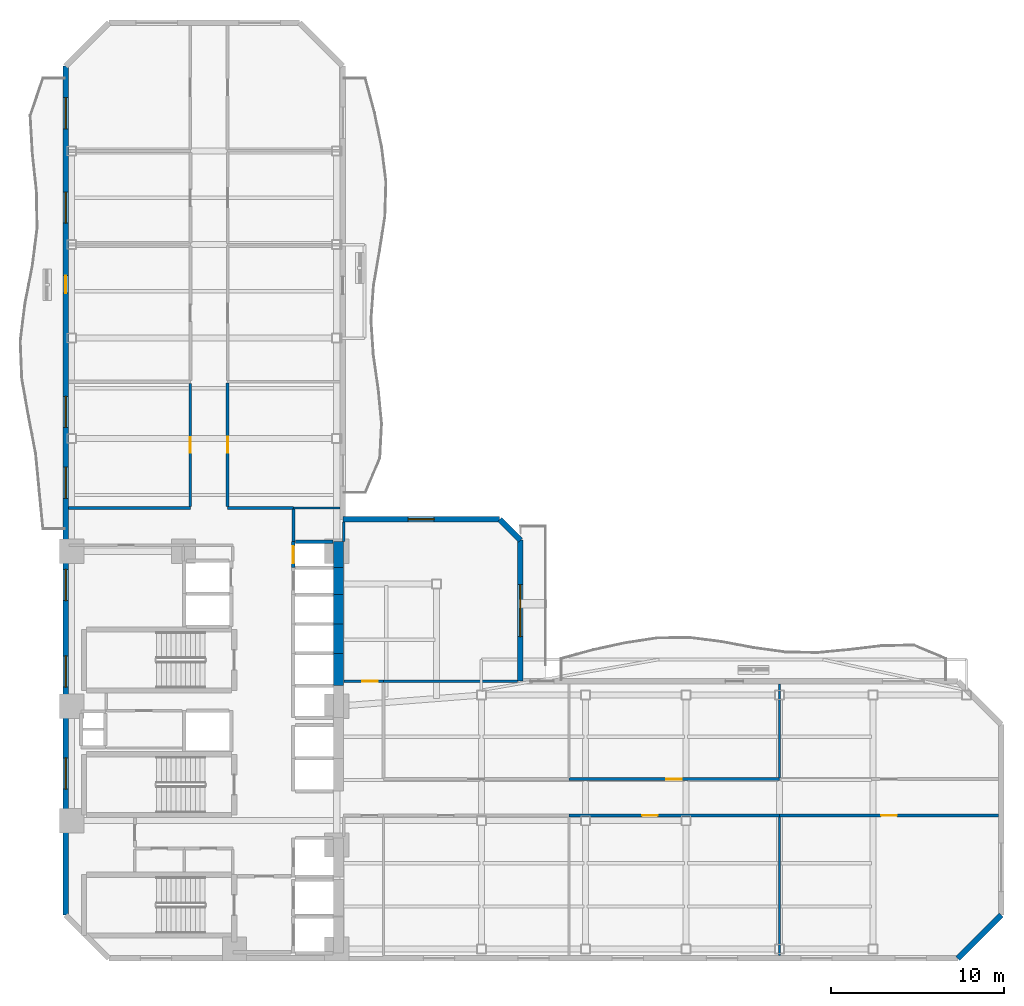
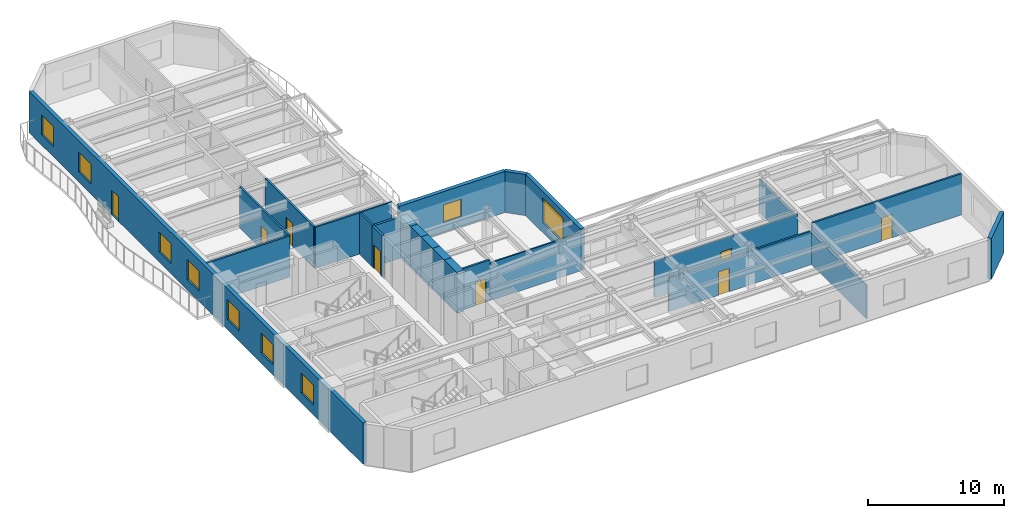
# One storey, part 5 of 11: 26 walls, 9 windows, 8 doors, 17 openings.
"""IFC4 building model written with IfcOpenShell, lengths in metres."""

import ifcopenshell
import ifcopenshell.guid

model = None  # the IFC model being written
_history = None  # IfcOwnerHistory: only IFC2X3 demands one
_inside = {}  # id of a spatial element -> (the spatial element, [elements in it])
_under = {}  # id of a project, library or spatial element -> (it, [spatial elements below it])
_declared = {}  # id of a project -> (the project, [libraries it declares])
_typed = {}  # id of a type object -> (the type object, [elements of that type])
_made_of = {}  # id of a material, layer set ... -> (it, [elements and type objects made of it])


def new_model(schema):
    """Start an empty IFC model of exactly this schema.

    Asked for "IFC4X3", IfcOpenShell would pick the latest addendum, in which some entities
    have other attributes; the version numbers below select the first issue.
    IFC2X3 requires an IfcOwnerHistory on every rooted entity: one is made here for all.
    """
    global model, _history
    if schema == "IFC4X3":
        model = ifcopenshell.file(schema_version=(4, 3, 0, 0))
    else:
        model = ifcopenshell.file(schema=schema)
    _inside.clear()
    _under.clear()
    _declared.clear()
    _typed.clear()
    _made_of.clear()
    _history = None
    if model.schema == "IFC2X3":
        org = make("IfcOrganization", Name="unknown")
        user = make(
            "IfcPersonAndOrganization",
            ThePerson=make("IfcPerson", FamilyName="unknown"),
            TheOrganization=org,
        )
        app = make(
            "IfcApplication",
            ApplicationDeveloper=org,
            Version="unknown",
            ApplicationFullName="unknown",
            ApplicationIdentifier="unknown",
        )
        _history = make(
            "IfcOwnerHistory",
            OwningUser=user,
            OwningApplication=app,
            ChangeAction="ADDED",
            CreationDate=0,
        )
    return model


def make(cls, **values):
    """One entity of the class cls with the attributes given. An attribute that is None is left unset."""
    return model.create_entity(
        cls, **{name: value for name, value in values.items() if value is not None}
    )


def rooted(cls, **values):
    """An entity with a GlobalId (a new one), such as an element, a storey or a relation."""
    return make(cls, GlobalId=ifcopenshell.guid.new(), OwnerHistory=_history, **values)


def si_unit(unit_type, name, prefix=None):
    """IfcSIUnit, for example si_unit("LENGTHUNIT", "METRE", prefix="MILLI")."""
    return make("IfcSIUnit", UnitType=unit_type, Prefix=prefix, Name=name)


def assignment(units):
    """IfcUnitAssignment: the units of a project."""
    return None if units is None else make("IfcUnitAssignment", Units=units)


def point(xyz):
    """IfcCartesianPoint."""
    return None if xyz is None else make("IfcCartesianPoint", Coordinates=xyz)


def direction(xyz):
    """IfcDirection."""
    return None if xyz is None else make("IfcDirection", DirectionRatios=xyz)


def frame(location, z_axis=None, x_axis=None):
    """IfcAxis2Placement3D, a coordinate frame: its origin and axes. An axis left out is left unset."""
    return make(
        "IfcAxis2Placement3D",
        Location=point(location),
        Axis=direction(z_axis),
        RefDirection=direction(x_axis),
    )


def frame_2d(location, x_axis=None):
    """IfcAxis2Placement2D, a coordinate frame in the plane: its origin and x axis."""
    return make(
        "IfcAxis2Placement2D", Location=point(location), RefDirection=direction(x_axis)
    )


def origin():
    """The frame at (0, 0, 0) with its axes left unset."""
    return frame((0.0, 0.0, 0.0))


def place(relative_to, where):
    """IfcLocalPlacement: puts the frame where relative to a parent placement (None: the world)."""
    return make(
        "IfcLocalPlacement", PlacementRelTo=relative_to, RelativePlacement=where
    )


def context(
    kind, dimensions, precision=None, world=None, true_north=None, identifier=None
):
    """IfcGeometricRepresentationContext, for example the 3D "Model" context."""
    return make(
        "IfcGeometricRepresentationContext",
        ContextIdentifier=identifier,
        ContextType=kind,
        CoordinateSpaceDimension=dimensions,
        Precision=precision,
        WorldCoordinateSystem=world,
        TrueNorth=true_north,
    )


def subcontext(parent, identifier, kind, view, scale=None):
    """IfcGeometricRepresentationSubContext, for example "Body" below "Model"."""
    return make(
        "IfcGeometricRepresentationSubContext",
        ContextIdentifier=identifier,
        ContextType=kind,
        ParentContext=parent,
        TargetScale=scale,
        TargetView=view,
    )


def project(units=None, contexts=None):
    """IfcProject with its units and contexts."""
    return rooted(
        "IfcProject",
        Name="project",
        RepresentationContexts=contexts,
        UnitsInContext=assignment(units),
    )


def spatial(cls, under=None, at=None, **own):
    """A site, building, storey or space (cls), placed at a placement, below another one or the project."""
    s = rooted(cls, ObjectPlacement=at, **own)
    if under is not None:
        _under.setdefault(under.id(), (under, []))[1].append(s)
    return s


def profile(cls, at=None, kind="AREA", **sizes):
    """A parametric profile (cls). Its sizes go by their IFC names, for example OverallWidth=200.0."""
    return make(cls, ProfileType=kind, Position=at, **sizes)


def rectangle(**sizes):
    """IfcRectangleProfileDef."""
    return profile("IfcRectangleProfileDef", **sizes)


def extrude(swept, where, along, depth):
    """IfcExtrudedAreaSolid: the profile swept, set in the frame where, extruded along a direction by depth."""
    return make(
        "IfcExtrudedAreaSolid",
        SweptArea=swept,
        Position=where,
        ExtrudedDirection=direction(along),
        Depth=depth,
    )


def shape(context_of_items, identifier, shape_type, items):
    """IfcShapeRepresentation: the items that make up one representation, for example the "Body"."""
    return make(
        "IfcShapeRepresentation",
        ContextOfItems=context_of_items,
        RepresentationIdentifier=identifier,
        RepresentationType=shape_type,
        Items=items,
    )


def material(Name=None, Category=None):
    """IfcMaterial."""
    return make("IfcMaterial", Name=Name, Category=Category)


def layer(
    of_material, thickness, ventilated=None, Name=None, Category=None, Priority=None
):
    """IfcMaterialLayer: one layer of a wall or slab, of a material (None: an air gap)."""
    return make(
        "IfcMaterialLayer",
        Material=of_material,
        LayerThickness=thickness,
        IsVentilated=ventilated,
        Name=Name,
        Category=Category,
        Priority=Priority,
    )


def layer_set(layers, Name=None):
    """IfcMaterialLayerSet."""
    return make("IfcMaterialLayerSet", MaterialLayers=layers, LayerSetName=Name)


def made_of(thing, what):
    """Note that an element or type object is made of a material, layer set ...; save() writes the relation."""
    if what is not None:
        _made_of.setdefault(what.id(), (what, []))[1].append(thing)
    return thing


def type_object(cls, material=None, **own):
    """A type object (cls), such as IfcWallType, which elements share."""
    return made_of(rooted(cls, **own), material)


def element(
    cls,
    number,
    at=None,
    inside=None,
    cuts=None,
    type_object=None,
    material=None,
    context=None,
    identifier="Body",
    shape_type=None,
    held_by="IfcProductDefinitionShape",
    body=None,
    shapes=None,
    **own,
):
    """One element of the class cls, such as IfcWall. Its Tag is "e" and its number.

    at: its placement. inside: the storey or other place that contains it. cuts: it is an
    opening in that element (IfcRelVoidsElement). A single representation is given by context,
    identifier, shape_type and body (its items); several are given by shapes. held_by: the class
    of the entity that holds the representations. save() writes the other relations.
    """
    e = rooted(cls, Tag="e%d" % number, ObjectPlacement=at, **own)
    if body is not None:
        shapes = [shape(context, identifier, shape_type, body)]
    if shapes is not None:
        e.Representation = make(held_by, Representations=shapes)
    if inside is not None:
        _inside.setdefault(inside.id(), (inside, []))[1].append(e)
    if cuts is not None:
        rooted(
            "IfcRelVoidsElement", RelatingBuildingElement=cuts, RelatedOpeningElement=e
        )
    if type_object is not None:
        _typed.setdefault(type_object.id(), (type_object, []))[1].append(e)
    return made_of(e, material)


def fill(opening, filler):
    """IfcRelFillsElement: the door or window that sits in an opening."""
    return rooted(
        "IfcRelFillsElement",
        RelatingOpeningElement=opening,
        RelatedBuildingElement=filler,
    )


def aggregate(whole, parts):
    """IfcRelAggregates: a whole, such as a stair, and the parts it consists of."""
    return rooted("IfcRelAggregates", RelatingObject=whole, RelatedObjects=parts)


def save(model, path):
    """Write the relations noted so far, then the file.

    IfcRelAggregates (storeys below a building ...), IfcRelContainedInSpatialStructure (elements
    in a storey), IfcRelDefinesByType, IfcRelAssociatesMaterial and IfcRelDeclares: one each for
    every whole, place, type object, material and project.
    """
    for whole, parts in _under.values():
        aggregate(whole, parts)
    for where, things in _inside.values():
        rooted(
            "IfcRelContainedInSpatialStructure",
            RelatedElements=things,
            RelatingStructure=where,
        )
    for kind, things in _typed.values():
        rooted("IfcRelDefinesByType", RelatedObjects=things, RelatingType=kind)
    for what, things in _made_of.values():
        rooted("IfcRelAssociatesMaterial", RelatedObjects=things, RelatingMaterial=what)
    for by, libraries in _declared.values():
        rooted("IfcRelDeclares", RelatingContext=by, RelatedDefinitions=libraries)
    model.write(path)


model = new_model("IFC4")

# Units and contexts
model_context = context("Model", 3, precision=1e-05, world=origin(), true_north=direction((0.0, 1.0)))
body_context = subcontext(model_context, "Body", "Model", "MODEL_VIEW")
ifc_project = project(units=[si_unit("LENGTHUNIT", "METRE"), si_unit("AREAUNIT", "SQUARE_METRE"), si_unit("VOLUMEUNIT", "CUBIC_METRE"), si_unit("PLANEANGLEUNIT", "RADIAN"), si_unit("MASSUNIT", "GRAM", prefix="KILO")], contexts=[model_context])

# Site, building, storey
site_placement = place(None, origin())
site = spatial("IfcSite", under=ifc_project, at=site_placement, CompositionType="ELEMENT")
building_placement = place(site_placement, origin())
building = spatial("IfcBuilding", under=site, at=building_placement, Name="Mawjaban Terraces University", CompositionType="ELEMENT")
storey_placement = place(building_placement, frame((0.0, 0.0, 77.800048828125)))
storey = spatial("IfcBuildingStorey", under=building, at=storey_placement, Name="L18", CompositionType="ELEMENT", Elevation=77.800048828125)

# Walls
ifc_material_1 = material(Name="Concrete C70/85", Category="concrete")
ifc_layer_1 = layer(ifc_material_1, 0.60009765625)
ifc_layer_set_1 = layer_set([ifc_layer_1], Name="Concrete C70/85")
wall_type_1 = type_object("IfcWallType", Name="CoreShearWall_600", PredefinedType="SHEAR", material=ifc_layer_set_1)
wall_1_placement = place(storey_placement, frame((37.75, 15.75, 0.0), z_axis=(0.0, 0.0, 1.0), x_axis=(0.0, 1.0, 0.0)))
element("IfcWall", 1, at=wall_1_placement, inside=storey, type_object=wall_type_1, Name="L18 Lift OL-2 Hoistway Wall East", PredefinedType="SHEAR", context=body_context, shape_type="SweptSolid", body=[
    extrude(rectangle(XDim=1.85009765625, YDim=0.60009765625, at=frame_2d((0.925048828125, 0.0))), origin(), (0.0, 0.0, 1.0), 3.68994140625),
])
for number, where, z_axis, x_axis, name in (
    (2, (37.75, 17.60009765625, 0.0), (0.0, 0.0, 1.0), (0.0, 1.0, 0.0), "L18 Lift PL-M1 Hoistway Wall East"),
    (3, (37.75, 19.300048828125, 0.0), (0.0, 0.0, 1.0), (0.0, 1.0, 0.0), "L18 Lift PL-M2 Hoistway Wall East"),
):
    element("IfcWall", number, at=place(storey_placement, frame(where, z_axis=z_axis, x_axis=x_axis)), inside=storey, type_object=wall_type_1, Name=name, PredefinedType="SHEAR", context=body_context, shape_type="SweptSolid", body=[
        extrude(rectangle(XDim=1.699951171875, YDim=0.60009765625, at=frame_2d((0.85009765625, 0.0))), origin(), (0.0, 0.0, 1.0), 3.68994140625),
    ])
wall_2_placement = place(storey_placement, frame((37.75, 21.0, 0.0), z_axis=(0.0, 0.0, 1.0), x_axis=(0.0, 1.0, 0.0)))
element("IfcWall", 4, at=wall_2_placement, inside=storey, type_object=wall_type_1, Name="L18 Lift PL-L1 Hoistway Wall East", PredefinedType="SHEAR", context=body_context, shape_type="SweptSolid", body=[
    extrude(rectangle(XDim=1.550048828125, YDim=0.60009765625, at=frame_2d((0.77490234375, 0.0))), origin(), (0.0, 0.0, 1.0), 3.68994140625),
])
wall_3_placement = place(storey_placement, frame((37.75, 22.550048828125, 0.0), z_axis=(0.0, 0.0, 1.0), x_axis=(0.0, 1.0, 0.0)))
element("IfcWall", 5, at=wall_3_placement, inside=storey, type_object=wall_type_1, Name="L18 Lift PL-L2 Hoistway Wall East", PredefinedType="SHEAR", context=body_context, shape_type="SweptSolid", body=[
    extrude(rectangle(XDim=1.5, YDim=0.60009765625, at=frame_2d((0.75, 0.0))), origin(), (0.0, 0.0, 1.0), 3.68994140625),
])
ifc_material_2 = material(Name="Fire-rated gypsum board on steel stud", Category="steel")
ifc_layer_2 = layer(ifc_material_2, 0.159912109375)
ifc_layer_set_2 = layer_set([ifc_layer_2], Name="Fire-rated gypsum board on steel stud")
wall_type_2 = type_object("IfcWallType", Name="CorridorPartition_160", PredefinedType="PARTITIONING", material=ifc_layer_set_2)
wall_4_placement = place(storey_placement, frame((29.199951171875, 26.0, 0.0), z_axis=(0.0, 0.0, 1.0), x_axis=(-1.0, 0.0, 0.0)))
element("IfcWall", 6, at=wall_4_placement, inside=storey, type_object=wall_type_2, Name="L18 North Core Cross-Corridor Partition 7", PredefinedType="PARTITIONING", context=body_context, shape_type="SweptSolid", body=[
    extrude(rectangle(XDim=7.044921875, YDim=0.159912109375, at=frame_2d((3.5224609375, 0.0))), origin(), (0.0, 0.0, 1.0), 3.68994140625),
])
wall_5_placement = place(storey_placement, frame((35.14990234375, 26.0, 0.0), z_axis=(0.0, 0.0, 1.0), x_axis=(-1.0, 0.0, 0.0)))
element("IfcWall", 7, at=wall_5_placement, inside=storey, type_object=wall_type_2, Name="L18 North Core Cross-Corridor Partition 13", PredefinedType="PARTITIONING", context=body_context, shape_type="SweptSolid", body=[
    extrude(rectangle(XDim=3.7998046875, YDim=0.159912109375, at=frame_2d((1.89990234375, 0.0))), origin(), (0.0, 0.0, 1.0), 3.68994140625),
])

# Wall, opening, door
wall_6_placement = place(storey_placement, frame((40.35009765625, 16.0, 0.0), z_axis=(0.0, 0.0, 1.0), x_axis=(-1.0, 0.0, 0.0)))
wall_6 = element("IfcWall", 8, at=wall_6_placement, inside=storey, type_object=wall_type_2, Name="L18 East Academic Corridor Vestibule Partition 21", PredefinedType="PARTITIONING", context=body_context, shape_type="SweptSolid", body=[
    extrude(rectangle(XDim=2.27001953125, YDim=0.159912109375, at=frame_2d((1.135009765625, 0.0))), origin(), (0.0, 0.0, 1.0), 3.68994140625),
])
opening_1_placement = place(wall_6_placement, frame((0.3349609375, 0.0, 0.0)))
opening_1 = element("IfcOpeningElement", 9, at=opening_1_placement, cuts=wall_6, Name="Opening ID-090", PredefinedType="OPENING", context=body_context, shape_type="SweptSolid", body=[
    extrude(rectangle(XDim=0.89990234375, YDim=2.10009765625, at=frame_2d((0.449951171875, 1.050048828125))), frame((0.0, 0.08984375, 0.0), z_axis=(0.0, -1.0, 0.0), x_axis=(1.0, 0.0, 0.0)), (0.0, 0.0, 1.0), 0.179931640625),
])
ifc_material_3 = material(Name="Powder-coated steel frame and solid acoustic timber leaf", Category="steel")
door_type_1 = type_object("IfcDoorType", Name="OfficeDoor_900x2100", OperationType="NOTDEFINED", PredefinedType="DOOR", material=ifc_material_3)
door_1_placement = place(opening_1_placement, origin())
door_1 = element("IfcDoor", 10, at=door_1_placement, inside=storey, type_object=door_type_1, Name="L18 Terrace Collaborative Study Room Door", OperationType="SINGLE_SWING_LEFT", OverallHeight=2.10009765625, OverallWidth=0.89990234375, PredefinedType="DOOR", context=body_context, shape_type="SweptSolid", body=[
    extrude(rectangle(XDim=0.89990234375, YDim=2.10009765625, at=frame_2d((0.449951171875, 1.050048828125))), frame((0.0, 0.02490234375, 0.0), z_axis=(0.0, -1.0, 0.0), x_axis=(1.0, 0.0, 0.0)), (0.0, 0.0, 1.0), 0.050048828125),
])
fill(opening_1, door_1)

wall_7_placement = place(storey_placement, frame((51.050048828125, 8.25, 0.0), z_axis=(0.0, 0.0, 1.0), x_axis=(1.0, 0.0, 0.0)))
wall_7 = element("IfcWall", 11, at=wall_7_placement, inside=storey, type_object=wall_type_2, Name="L18 East Academic Spine Corridor Partition 22", PredefinedType="PARTITIONING", context=body_context, shape_type="SweptSolid", body=[
    extrude(rectangle(XDim=12.14990234375, YDim=0.159912109375, at=frame_2d((6.074951171875, 0.0))), origin(), (0.0, 0.0, 1.0), 2.994873046875),
])
opening_2_placement = place(wall_7_placement, frame((4.22509765625, 0.0, 0.0)))
opening_2 = element("IfcOpeningElement", 12, at=opening_2_placement, cuts=wall_7, Name="Opening ID-090", PredefinedType="OPENING", context=body_context, shape_type="SweptSolid", body=[
    extrude(rectangle(XDim=0.89990234375, YDim=2.10009765625, at=frame_2d((0.449951171875, 1.050048828125))), frame((0.0, 0.08984375, 0.0), z_axis=(0.0, -1.0, 0.0), x_axis=(1.0, 0.0, 0.0)), (0.0, 0.0, 1.0), 0.179931640625),
])
door_2_placement = place(opening_2_placement, origin())
door_2 = element("IfcDoor", 13, at=door_2_placement, inside=storey, type_object=door_type_1, Name="L18 Academic Counseling Room 4 Door", OperationType="SINGLE_SWING_LEFT", OverallHeight=2.10009765625, OverallWidth=0.89990234375, PredefinedType="DOOR", context=body_context, shape_type="SweptSolid", body=[
    extrude(rectangle(XDim=0.89990234375, YDim=2.10009765625, at=frame_2d((0.449951171875, 1.050048828125))), frame((0.0, 0.02490234375, 0.0), z_axis=(0.0, -1.0, 0.0), x_axis=(1.0, 0.0, 0.0)), (0.0, 0.0, 1.0), 0.050048828125),
])
fill(opening_2, door_2)

wall_8_placement = place(storey_placement, frame((63.199951171875, 8.25, 0.0), z_axis=(0.0, 0.0, 1.0), x_axis=(1.0, 0.0, 0.0)))
wall_8 = element("IfcWall", 14, at=wall_8_placement, inside=storey, type_object=wall_type_2, Name="L18 East Academic Spine Corridor Partition 24", PredefinedType="PARTITIONING", context=body_context, shape_type="SweptSolid", body=[
    extrude(rectangle(XDim=12.64501953125, YDim=0.159912109375, at=frame_2d((6.322509765625, 0.0))), origin(), (0.0, 0.0, 1.0), 3.68994140625),
])
opening_3_placement = place(wall_8_placement, frame((5.8720703125, 0.0, 0.0)))
opening_3 = element("IfcOpeningElement", 15, at=opening_3_placement, cuts=wall_8, Name="Opening ID-090", PredefinedType="OPENING", context=body_context, shape_type="SweptSolid", body=[
    extrude(rectangle(XDim=0.89990234375, YDim=2.10009765625, at=frame_2d((0.449951171875, 1.050048828125))), frame((0.0, 0.08984375, 0.0), z_axis=(0.0, -1.0, 0.0), x_axis=(1.0, 0.0, 0.0)), (0.0, 0.0, 1.0), 0.179931640625),
])
door_3_placement = place(opening_3_placement, origin())
door_3 = element("IfcDoor", 16, at=door_3_placement, inside=storey, type_object=door_type_1, Name="L18 Departmental Office 6 Door", OperationType="SINGLE_SWING_LEFT", OverallHeight=2.10009765625, OverallWidth=0.89990234375, PredefinedType="DOOR", context=body_context, shape_type="SweptSolid", body=[
    extrude(rectangle(XDim=0.89990234375, YDim=2.10009765625, at=frame_2d((0.449951171875, 1.050048828125))), frame((0.0, 0.02490234375, 0.0), z_axis=(0.0, -1.0, 0.0), x_axis=(1.0, 0.0, 0.0)), (0.0, 0.0, 1.0), 0.050048828125),
])
fill(opening_3, door_3)

wall_9_placement = place(storey_placement, frame((63.199951171875, 10.35009765625, 0.0), z_axis=(0.0, 0.0, 1.0), x_axis=(-1.0, 0.0, 0.0)))
wall_9 = element("IfcWall", 17, at=wall_9_placement, inside=storey, type_object=wall_type_2, Name="L18 East Academic Spine Corridor Partition 25", PredefinedType="PARTITIONING", context=body_context, shape_type="SweptSolid", body=[
    extrude(rectangle(XDim=12.14990234375, YDim=0.159912109375, at=frame_2d((6.074951171875, 0.0))), origin(), (0.0, 0.0, 1.0), 3.22705078125),
])
opening_4_placement = place(wall_9_placement, frame((5.625, 0.0, 0.0)))
opening_4 = element("IfcOpeningElement", 18, at=opening_4_placement, cuts=wall_9, Name="Opening ID-090", PredefinedType="OPENING", context=body_context, shape_type="SweptSolid", body=[
    extrude(rectangle(XDim=0.89990234375, YDim=2.10009765625, at=frame_2d((0.449951171875, 1.050048828125))), frame((0.0, 0.08984375, 0.0), z_axis=(0.0, -1.0, 0.0), x_axis=(1.0, 0.0, 0.0)), (0.0, 0.0, 1.0), 0.179931640625),
])
door_4_placement = place(opening_4_placement, origin())
door_4 = element("IfcDoor", 19, at=door_4_placement, inside=storey, type_object=door_type_1, Name="L18 Faculty Office 5 Door", OperationType="SINGLE_SWING_RIGHT", OverallHeight=2.10009765625, OverallWidth=0.89990234375, PredefinedType="DOOR", context=body_context, shape_type="SweptSolid", body=[
    extrude(rectangle(XDim=0.89990234375, YDim=2.10009765625, at=frame_2d((0.449951171875, 1.050048828125))), frame((0.0, 0.02490234375, 0.0), z_axis=(0.0, -1.0, 0.0), x_axis=(1.0, 0.0, 0.0)), (0.0, 0.0, 1.0), 0.050048828125),
])
fill(opening_4, door_4)

wall_10_placement = place(storey_placement, frame((29.199951171875, 33.195068359375, 0.0), z_axis=(0.0, 0.0, 1.0), x_axis=(0.0, -1.0, 0.0)))
wall_10 = element("IfcWall", 20, at=wall_10_placement, inside=storey, type_object=wall_type_2, Name="L18 North Academic Spine Corridor Partition 32", PredefinedType="PARTITIONING", context=body_context, shape_type="SweptSolid", body=[
    extrude(rectangle(XDim=7.1201171875, YDim=0.159912109375, at=frame_2d((3.56005859375, 0.0))), origin(), (0.0, 0.0, 1.0), 3.68994140625),
])
opening_5_placement = place(wall_10_placement, frame((3.110107421875, 0.0, 0.0)))
opening_5 = element("IfcOpeningElement", 21, at=opening_5_placement, cuts=wall_10, Name="Opening ID-090", PredefinedType="OPENING", context=body_context, shape_type="SweptSolid", body=[
    extrude(rectangle(XDim=0.89990234375, YDim=2.10009765625, at=frame_2d((0.449951171875, 1.050048828125))), frame((0.0, 0.08984375, 0.0), z_axis=(0.0, -1.0, 0.0), x_axis=(1.0, 0.0, 0.0)), (0.0, 0.0, 1.0), 0.179931640625),
])
door_5_placement = place(opening_5_placement, origin())
door_5 = element("IfcDoor", 22, at=door_5_placement, inside=storey, type_object=door_type_1, Name="L18 Departmental Office 8 Door", OperationType="SINGLE_SWING_LEFT", OverallHeight=2.10009765625, OverallWidth=0.89990234375, PredefinedType="DOOR", context=body_context, shape_type="SweptSolid", body=[
    extrude(rectangle(XDim=0.89990234375, YDim=2.10009765625, at=frame_2d((0.449951171875, 1.050048828125))), frame((0.0, 0.02490234375, 0.0), z_axis=(0.0, -1.0, 0.0), x_axis=(1.0, 0.0, 0.0)), (0.0, 0.0, 1.0), 0.050048828125),
])
fill(opening_5, door_5)

wall_11_placement = place(storey_placement, frame((31.35009765625, 26.074951171875, 0.0), z_axis=(0.0, 0.0, 1.0), x_axis=(0.0, 1.0, 0.0)))
wall_11 = element("IfcWall", 23, at=wall_11_placement, inside=storey, type_object=wall_type_2, Name="L18 North Academic Spine Corridor Partition 36", PredefinedType="PARTITIONING", context=body_context, shape_type="SweptSolid", body=[
    extrude(rectangle(XDim=7.136962890625, YDim=0.159912109375, at=frame_2d((3.568359375, 0.0))), origin(), (0.0, 0.0, 1.0), 3.68994140625),
])
opening_6_placement = place(wall_11_placement, frame((3.118896484375, 0.0, 0.0)))
opening_6 = element("IfcOpeningElement", 24, at=opening_6_placement, cuts=wall_11, Name="Opening ID-090", PredefinedType="OPENING", context=body_context, shape_type="SweptSolid", body=[
    extrude(rectangle(XDim=0.89990234375, YDim=2.10009765625, at=frame_2d((0.449951171875, 1.050048828125))), frame((0.0, 0.08984375, 0.0), z_axis=(0.0, -1.0, 0.0), x_axis=(1.0, 0.0, 0.0)), (0.0, 0.0, 1.0), 0.179931640625),
])
door_6_placement = place(opening_6_placement, origin())
door_6 = element("IfcDoor", 25, at=door_6_placement, inside=storey, type_object=door_type_1, Name="L18 Quiet Reading Room 9 Door", OperationType="SINGLE_SWING_RIGHT", OverallHeight=2.10009765625, OverallWidth=0.89990234375, PredefinedType="DOOR", context=body_context, shape_type="SweptSolid", body=[
    extrude(rectangle(XDim=0.89990234375, YDim=2.10009765625, at=frame_2d((0.449951171875, 1.050048828125))), frame((0.0, 0.02490234375, 0.0), z_axis=(0.0, -1.0, 0.0), x_axis=(1.0, 0.0, 0.0)), (0.0, 0.0, 1.0), 0.050048828125),
])
fill(opening_6, door_6)

# Walls
wall_12_placement = place(storey_placement, frame((35.14990234375, 24.070068359375, 0.0), z_axis=(0.0, 0.0, 1.0), x_axis=(0.0, 1.0, 0.0)))
element("IfcWall", 26, at=wall_12_placement, inside=storey, type_object=wall_type_2, Name="L18 North Core Cross-Corridor Partition 42", PredefinedType="PARTITIONING", context=body_context, shape_type="SweptSolid", body=[
    extrude(rectangle(XDim=1.85498046875, YDim=0.159912109375, at=frame_2d((0.927490234375, 0.0))), origin(), (0.0, 0.0, 1.0), 3.68994140625),
])
ifc_material_4 = material(Name="Insulated terracotta rainscreen on concrete backup C40/50", Category="masonry")
ifc_layer_3 = layer(ifc_material_4, 0.320068359375)
ifc_layer_set_3 = layer_set([ifc_layer_3], Name="Insulated terracotta rainscreen on concrete backup C40/50")
wall_type_3 = type_object("IfcWallType", Name="ExtTerracottaWall_320", PredefinedType="SOLIDWALL", material=ifc_layer_set_3)
wall_13_placement = place(storey_placement, frame((73.5, 0.0, 0.0), z_axis=(0.0, 0.0, 1.0), x_axis=(0.707106781187, 0.707106781187, 0.0)))
element("IfcWall", 27, at=wall_13_placement, inside=storey, type_object=wall_type_3, Name="L18 Exterior Terracotta Wall 2", PredefinedType="SOLIDWALL", context=body_context, shape_type="SweptSolid", body=[
    extrude(rectangle(XDim=3.53564453125, YDim=0.320068359375, at=frame_2d((1.767822265625, 0.0))), origin(), (0.0, 0.0, 1.0), 3.68994140625),
])

# Wall, opening, window
wall_14_placement = place(storey_placement, frame((48.25, 16.0, 0.0), z_axis=(0.0, 0.0, 1.0), x_axis=(0.0, 1.0, 0.0)))
wall_14 = element("IfcWall", 28, at=wall_14_placement, inside=storey, type_object=wall_type_3, Name="L18 Exterior Terracotta Wall 6", PredefinedType="SOLIDWALL", context=body_context, shape_type="SweptSolid", body=[
    extrude(rectangle(XDim=8.136962890625, YDim=0.320068359375, at=frame_2d((4.068359375, 0.0))), origin(), (0.0, 0.0, 1.0), 3.68994140625),
])
opening_7_placement = place(wall_14_placement, frame((2.569091796875, 0.0, 0.89990234375)))
opening_7 = element("IfcOpeningElement", 29, at=opening_7_placement, cuts=wall_14, Name="Opening W-12", PredefinedType="OPENING", context=body_context, shape_type="SweptSolid", body=[
    extrude(rectangle(XDim=3.0, YDim=2.199951171875, at=frame_2d((1.5, 1.10009765625))), frame((0.0, 0.169921875, 0.0), z_axis=(0.0, -1.0, 0.0), x_axis=(1.0, 0.0, 0.0)), (0.0, 0.0, 1.0), 0.340087890625),
])
ifc_material_5 = material(Name="Low-E solar-control double glazing in thermally broken aluminium frame", Category="aluminium")
window_type_1 = type_object("IfcWindowType", Name="Win_3000x2200", PartitioningType="SINGLE_PANEL", PredefinedType="WINDOW", material=ifc_material_5)
window_1_placement = place(opening_7_placement, origin())
window_1 = element("IfcWindow", 30, at=window_1_placement, inside=storey, type_object=window_type_1, Name="L18 Facade Window 6.1", OverallHeight=2.199951171875, OverallWidth=3.0, PartitioningType="SINGLE_PANEL", PredefinedType="WINDOW", context=body_context, shape_type="SweptSolid", body=[
    extrude(rectangle(XDim=3.0, YDim=2.199951171875, at=frame_2d((1.5, 1.10009765625))), frame((0.0, 0.030029296875, 0.0), z_axis=(0.0, -1.0, 0.0), x_axis=(1.0, 0.0, 0.0)), (0.0, 0.0, 1.0), 0.06005859375),
])
fill(opening_7, window_1)

# Wall
wall_15_placement = place(storey_placement, frame((48.25, 24.136962890625, 0.0), z_axis=(0.0, 0.0, 1.0), x_axis=(-0.707106781187, 0.707106781187, 0.0)))
element("IfcWall", 31, at=wall_15_placement, inside=storey, type_object=wall_type_3, Name="L18 Exterior Terracotta Wall 7", PredefinedType="SOLIDWALL", context=body_context, shape_type="SweptSolid", body=[
    extrude(rectangle(XDim=1.697021484375, YDim=0.320068359375, at=frame_2d((0.8486328125, 0.0))), origin(), (0.0, 0.0, 1.0), 3.68994140625),
])

# Wall, opening, window
wall_16_placement = place(storey_placement, frame((47.050048828125, 25.3369140625, 0.0), z_axis=(0.0, 0.0, 1.0), x_axis=(-1.0, 0.0, 0.0)))
wall_16 = element("IfcWall", 32, at=wall_16_placement, inside=storey, type_object=wall_type_3, Name="L18 Exterior Terracotta Wall 8", PredefinedType="SOLIDWALL", context=body_context, shape_type="SweptSolid", body=[
    extrude(rectangle(XDim=9.050048828125, YDim=0.320068359375, at=frame_2d((4.52490234375, 0.0))), origin(), (0.0, 0.0, 1.0), 3.68994140625),
])
opening_8_placement = place(wall_16_placement, frame((3.77490234375, 0.0, 0.89990234375)))
opening_8 = element("IfcOpeningElement", 33, at=opening_8_placement, cuts=wall_16, Name="Opening W-02", PredefinedType="OPENING", context=body_context, shape_type="SweptSolid", body=[
    extrude(rectangle(XDim=1.5, YDim=1.60009765625, at=frame_2d((0.75, 0.800048828125))), frame((0.0, 0.169921875, 0.0), z_axis=(0.0, -1.0, 0.0), x_axis=(1.0, 0.0, 0.0)), (0.0, 0.0, 1.0), 0.340087890625),
])
window_type_2 = type_object("IfcWindowType", Name="Win_1500x1600", PartitioningType="SINGLE_PANEL", PredefinedType="WINDOW", material=ifc_material_5)
window_2_placement = place(opening_8_placement, origin())
window_2 = element("IfcWindow", 34, at=window_2_placement, inside=storey, type_object=window_type_2, Name="L18 Facade Window 8.1", OverallHeight=1.60009765625, OverallWidth=1.5, PartitioningType="SINGLE_PANEL", PredefinedType="WINDOW", context=body_context, shape_type="SweptSolid", body=[
    extrude(rectangle(XDim=1.5, YDim=1.60009765625, at=frame_2d((0.75, 0.800048828125))), frame((0.0, 0.030029296875, 0.0), z_axis=(0.0, -1.0, 0.0), x_axis=(1.0, 0.0, 0.0)), (0.0, 0.0, 1.0), 0.06005859375),
])
fill(opening_8, window_2)

# Wall, openings, door, windows
wall_17_placement = place(storey_placement, frame((22.0, 51.5, 0.0), z_axis=(0.0, 0.0, 1.0), x_axis=(0.0, -1.0, 0.0)))
wall_17 = element("IfcWall", 35, at=wall_17_placement, inside=storey, type_object=wall_type_3, Name="L18 Exterior Terracotta Wall 13", PredefinedType="SOLIDWALL", context=body_context, shape_type="SweptSolid", body=[
    extrude(rectangle(XDim=49.0, YDim=0.320068359375, at=frame_2d((24.5, 0.0))), origin(), (0.0, 0.0, 1.0), 3.68994140625),
])
opening_9_placement = place(wall_17_placement, frame((12.10009765625, 0.0, 0.0)))
opening_9 = element("IfcOpeningElement", 36, at=opening_9_placement, cuts=wall_17, Name="Opening BD-100", PredefinedType="OPENING", context=body_context, shape_type="SweptSolid", body=[
    extrude(rectangle(XDim=1.0, YDim=2.199951171875, at=frame_2d((0.5, 1.10009765625))), frame((0.0, 0.169921875, 0.0), z_axis=(0.0, -1.0, 0.0), x_axis=(1.0, 0.0, 0.0)), (0.0, 0.0, 1.0), 0.340087890625),
])
opening_10_placement = place(wall_17_placement, frame((1.822021484375, 0.0, 0.89990234375)))
opening_10 = element("IfcOpeningElement", 37, at=opening_10_placement, cuts=wall_17, Name="Opening W-07", PredefinedType="OPENING", context=body_context, shape_type="SweptSolid", body=[
    extrude(rectangle(XDim=1.800048828125, YDim=1.800048828125, at=frame_2d((0.89990234375, 0.89990234375))), frame((0.0, 0.169921875, 0.0), z_axis=(0.0, -1.0, 0.0), x_axis=(1.0, 0.0, 0.0)), (0.0, 0.0, 1.0), 0.340087890625),
])
opening_11_placement = place(wall_17_placement, frame((7.26708984375, 0.0, 0.89990234375)))
opening_11 = element("IfcOpeningElement", 38, at=opening_11_placement, cuts=wall_17, Name="Opening W-07", PredefinedType="OPENING", context=body_context, shape_type="SweptSolid", body=[
    extrude(rectangle(XDim=1.800048828125, YDim=1.800048828125, at=frame_2d((0.89990234375, 0.89990234375))), frame((0.0, 0.169921875, 0.0), z_axis=(0.0, -1.0, 0.0), x_axis=(1.0, 0.0, 0.0)), (0.0, 0.0, 1.0), 0.340087890625),
])
opening_12_placement = place(wall_17_placement, frame((19.055908203125, 0.0, 0.89990234375)))
opening_12 = element("IfcOpeningElement", 39, at=opening_12_placement, cuts=wall_17, Name="Opening W-07", PredefinedType="OPENING", context=body_context, shape_type="SweptSolid", body=[
    extrude(rectangle(XDim=1.800048828125, YDim=1.800048828125, at=frame_2d((0.89990234375, 0.89990234375))), frame((0.0, 0.169921875, 0.0), z_axis=(0.0, -1.0, 0.0), x_axis=(1.0, 0.0, 0.0)), (0.0, 0.0, 1.0), 0.340087890625),
])
opening_13_placement = place(wall_17_placement, frame((23.14990234375, 0.0, 0.89990234375)))
opening_13 = element("IfcOpeningElement", 40, at=opening_13_placement, cuts=wall_17, Name="Opening W-07", PredefinedType="OPENING", context=body_context, shape_type="SweptSolid", body=[
    extrude(rectangle(XDim=1.800048828125, YDim=1.800048828125, at=frame_2d((0.89990234375, 0.89990234375))), frame((0.0, 0.169921875, 0.0), z_axis=(0.0, -1.0, 0.0), x_axis=(1.0, 0.0, 0.0)), (0.0, 0.0, 1.0), 0.340087890625),
])
opening_14_placement = place(wall_17_placement, frame((29.0439453125, 0.0, 0.89990234375)))
opening_14 = element("IfcOpeningElement", 41, at=opening_14_placement, cuts=wall_17, Name="Opening W-07", PredefinedType="OPENING", context=body_context, shape_type="SweptSolid", body=[
    extrude(rectangle(XDim=1.800048828125, YDim=1.800048828125, at=frame_2d((0.89990234375, 0.89990234375))), frame((0.0, 0.169921875, 0.0), z_axis=(0.0, -1.0, 0.0), x_axis=(1.0, 0.0, 0.0)), (0.0, 0.0, 1.0), 0.340087890625),
])
opening_15_placement = place(wall_17_placement, frame((34.0390625, 0.0, 0.89990234375)))
opening_15 = element("IfcOpeningElement", 42, at=opening_15_placement, cuts=wall_17, Name="Opening W-07", PredefinedType="OPENING", context=body_context, shape_type="SweptSolid", body=[
    extrude(rectangle(XDim=1.800048828125, YDim=1.800048828125, at=frame_2d((0.89990234375, 0.89990234375))), frame((0.0, 0.169921875, 0.0), z_axis=(0.0, -1.0, 0.0), x_axis=(1.0, 0.0, 0.0)), (0.0, 0.0, 1.0), 0.340087890625),
])
opening_16_placement = place(wall_17_placement, frame((39.93310546875, 0.0, 0.89990234375)))
opening_16 = element("IfcOpeningElement", 43, at=opening_16_placement, cuts=wall_17, Name="Opening W-07", PredefinedType="OPENING", context=body_context, shape_type="SweptSolid", body=[
    extrude(rectangle(XDim=1.800048828125, YDim=1.800048828125, at=frame_2d((0.89990234375, 0.89990234375))), frame((0.0, 0.169921875, 0.0), z_axis=(0.0, -1.0, 0.0), x_axis=(1.0, 0.0, 0.0)), (0.0, 0.0, 1.0), 0.340087890625),
])
ifc_material_6 = material(Name="Thermally broken anodised aluminium and laminated safety glass", Category="aluminium")
door_type_2 = type_object("IfcDoorType", Name="BalconyGlazedDoor_1000x2200", OperationType="NOTDEFINED", PredefinedType="DOOR", material=ifc_material_6)
door_7_placement = place(opening_9_placement, origin())
door_7 = element("IfcDoor", 44, at=door_7_placement, inside=storey, type_object=door_type_2, Name="L18 Balcony Access Door west", OperationType="SINGLE_SWING_LEFT", OverallHeight=2.199951171875, OverallWidth=1.0, PredefinedType="DOOR", context=body_context, shape_type="SweptSolid", body=[
    extrude(rectangle(XDim=1.0, YDim=2.199951171875, at=frame_2d((0.5, 1.10009765625))), frame((0.0, 0.02490234375, 0.0), z_axis=(0.0, -1.0, 0.0), x_axis=(1.0, 0.0, 0.0)), (0.0, 0.0, 1.0), 0.050048828125),
])
fill(opening_9, door_7)
window_type_3 = type_object("IfcWindowType", Name="Win_1800x1800", PartitioningType="SINGLE_PANEL", PredefinedType="WINDOW", material=ifc_material_5)
window_3_placement = place(opening_10_placement, origin())
window_3 = element("IfcWindow", 45, at=window_3_placement, inside=storey, type_object=window_type_3, Name="L18 Facade Window 13.1", OverallHeight=1.800048828125, OverallWidth=1.800048828125, PartitioningType="SINGLE_PANEL", PredefinedType="WINDOW", context=body_context, shape_type="SweptSolid", body=[
    extrude(rectangle(XDim=1.800048828125, YDim=1.800048828125, at=frame_2d((0.89990234375, 0.89990234375))), frame((0.0, 0.030029296875, 0.0), z_axis=(0.0, -1.0, 0.0), x_axis=(1.0, 0.0, 0.0)), (0.0, 0.0, 1.0), 0.06005859375),
])
fill(opening_10, window_3)
window_4_placement = place(opening_11_placement, origin())
window_4 = element("IfcWindow", 46, at=window_4_placement, inside=storey, type_object=window_type_3, Name="L18 Facade Window 13.2", OverallHeight=1.800048828125, OverallWidth=1.800048828125, PartitioningType="SINGLE_PANEL", PredefinedType="WINDOW", context=body_context, shape_type="SweptSolid", body=[
    extrude(rectangle(XDim=1.800048828125, YDim=1.800048828125, at=frame_2d((0.89990234375, 0.89990234375))), frame((0.0, 0.030029296875, 0.0), z_axis=(0.0, -1.0, 0.0), x_axis=(1.0, 0.0, 0.0)), (0.0, 0.0, 1.0), 0.06005859375),
])
fill(opening_11, window_4)
window_5_placement = place(opening_12_placement, origin())
window_5 = element("IfcWindow", 47, at=window_5_placement, inside=storey, type_object=window_type_3, Name="L18 Facade Window 13.4", OverallHeight=1.800048828125, OverallWidth=1.800048828125, PartitioningType="SINGLE_PANEL", PredefinedType="WINDOW", context=body_context, shape_type="SweptSolid", body=[
    extrude(rectangle(XDim=1.800048828125, YDim=1.800048828125, at=frame_2d((0.89990234375, 0.89990234375))), frame((0.0, 0.030029296875, 0.0), z_axis=(0.0, -1.0, 0.0), x_axis=(1.0, 0.0, 0.0)), (0.0, 0.0, 1.0), 0.06005859375),
])
fill(opening_12, window_5)
window_6_placement = place(opening_13_placement, origin())
window_6 = element("IfcWindow", 48, at=window_6_placement, inside=storey, type_object=window_type_3, Name="L18 Facade Window 13.5", OverallHeight=1.800048828125, OverallWidth=1.800048828125, PartitioningType="SINGLE_PANEL", PredefinedType="WINDOW", context=body_context, shape_type="SweptSolid", body=[
    extrude(rectangle(XDim=1.800048828125, YDim=1.800048828125, at=frame_2d((0.89990234375, 0.89990234375))), frame((0.0, 0.030029296875, 0.0), z_axis=(0.0, -1.0, 0.0), x_axis=(1.0, 0.0, 0.0)), (0.0, 0.0, 1.0), 0.06005859375),
])
fill(opening_13, window_6)
window_7_placement = place(opening_14_placement, origin())
window_7 = element("IfcWindow", 49, at=window_7_placement, inside=storey, type_object=window_type_3, Name="L18 Facade Window 13.6", OverallHeight=1.800048828125, OverallWidth=1.800048828125, PartitioningType="SINGLE_PANEL", PredefinedType="WINDOW", context=body_context, shape_type="SweptSolid", body=[
    extrude(rectangle(XDim=1.800048828125, YDim=1.800048828125, at=frame_2d((0.89990234375, 0.89990234375))), frame((0.0, 0.030029296875, 0.0), z_axis=(0.0, -1.0, 0.0), x_axis=(1.0, 0.0, 0.0)), (0.0, 0.0, 1.0), 0.06005859375),
])
fill(opening_14, window_7)
window_8_placement = place(opening_15_placement, origin())
window_8 = element("IfcWindow", 50, at=window_8_placement, inside=storey, type_object=window_type_3, Name="L18 Facade Window 13.7", OverallHeight=1.800048828125, OverallWidth=1.800048828125, PartitioningType="SINGLE_PANEL", PredefinedType="WINDOW", context=body_context, shape_type="SweptSolid", body=[
    extrude(rectangle(XDim=1.800048828125, YDim=1.800048828125, at=frame_2d((0.89990234375, 0.89990234375))), frame((0.0, 0.030029296875, 0.0), z_axis=(0.0, -1.0, 0.0), x_axis=(1.0, 0.0, 0.0)), (0.0, 0.0, 1.0), 0.06005859375),
])
fill(opening_15, window_8)
window_9_placement = place(opening_16_placement, origin())
window_9 = element("IfcWindow", 51, at=window_9_placement, inside=storey, type_object=window_type_3, Name="L18 Facade Window 13.8", OverallHeight=1.800048828125, OverallWidth=1.800048828125, PartitioningType="SINGLE_PANEL", PredefinedType="WINDOW", context=body_context, shape_type="SweptSolid", body=[
    extrude(rectangle(XDim=1.800048828125, YDim=1.800048828125, at=frame_2d((0.89990234375, 0.89990234375))), frame((0.0, 0.030029296875, 0.0), z_axis=(0.0, -1.0, 0.0), x_axis=(1.0, 0.0, 0.0)), (0.0, 0.0, 1.0), 0.06005859375),
])
fill(opening_16, window_9)

# Wall, opening, door
ifc_material_7 = material(Name="Concrete C40/50", Category="concrete")
ifc_layer_4 = layer(ifc_material_7, 0.199951171875)
ifc_layer_set_4 = layer_set([ifc_layer_4], Name="Concrete C40/50")
wall_type_4 = type_object("IfcWallType", Name="FireLobbyWall_200", PredefinedType="SOLIDWALL", material=ifc_layer_set_4)
wall_18_placement = place(storey_placement, frame((35.14990234375, 24.050048828125, 0.0), z_axis=(0.0, 0.0, 1.0), x_axis=(0.0, -1.0, 0.0)))
wall_18 = element("IfcWall", 52, at=wall_18_placement, inside=storey, type_object=wall_type_4, Name="L18 Lift PL-L2 Hoistway Wall West", PredefinedType="SOLIDWALL", context=body_context, shape_type="SweptSolid", body=[
    extrude(rectangle(XDim=1.5, YDim=0.199951171875, at=frame_2d((0.75, 0.0))), origin(), (0.0, 0.0, 1.0), 3.68994140625),
])
opening_17_placement = place(wall_18_placement, frame((0.25, 0.0, 0.0)))
opening_17 = element("IfcOpeningElement", 53, at=opening_17_placement, cuts=wall_18, Name="Opening LD-PL-L2", PredefinedType="OPENING", context=body_context, shape_type="SweptSolid", body=[
    extrude(rectangle(XDim=1.0, YDim=2.10009765625, at=frame_2d((0.5, 1.050048828125))), frame((0.0, 0.10986328125, 0.0), z_axis=(0.0, -1.0, 0.0), x_axis=(1.0, 0.0, 0.0)), (0.0, 0.0, 1.0), 0.219970703125),
])
ifc_material_8 = material(Name="Powder-coated steel frame and fire-rated steel-faced leaf", Category="steel")
door_type_3 = type_object("IfcDoorType", Name="LiftLandingSliding_1000x2100", OperationType="NOTDEFINED", PredefinedType="DOOR", material=ifc_material_8)
door_8_placement = place(opening_17_placement, origin())
door_8 = element("IfcDoor", 54, at=door_8_placement, inside=storey, type_object=door_type_3, Name="L18 Lift PL-L2 Sliding Landing Door", OperationType="DOUBLE_DOOR_SLIDING", OverallHeight=2.10009765625, OverallWidth=1.0, PredefinedType="DOOR", context=body_context, shape_type="SweptSolid", body=[
    extrude(rectangle(XDim=1.0, YDim=2.10009765625, at=frame_2d((0.5, 1.050048828125))), frame((0.0, 0.02490234375, 0.0), z_axis=(0.0, -1.0, 0.0), x_axis=(1.0, 0.0, 0.0)), (0.0, 0.0, 1.0), 0.050048828125),
])
fill(opening_17, door_8)

# Walls
wall_19_placement = place(storey_placement, frame((37.419921875, 24.050048828125, 0.0), z_axis=(0.0, 0.0, 1.0), x_axis=(-1.0, 0.0, 0.0)))
element("IfcWall", 55, at=wall_19_placement, inside=storey, type_object=wall_type_4, Name="L18 Lift PL-L2 Hoistway Wall North", PredefinedType="SOLIDWALL", context=body_context, shape_type="SweptSolid", body=[
    extrude(rectangle(XDim=2.139892578125, YDim=0.199951171875, at=frame_2d((1.06982421875, 0.0))), origin(), (0.0, 0.0, 1.0), 3.68994140625),
])
ifc_material_9 = material(Name="Gypsum plasterboard on steel stud", Category="steel")
ifc_layer_5 = layer(ifc_material_9, 0.125)
ifc_layer_set_5 = layer_set([ifc_layer_5], Name="Gypsum plasterboard on steel stud")
wall_type_5 = type_object("IfcWallType", Name="OfficePartition_125", PredefinedType="PARTITIONING", material=ifc_layer_set_5)
wall_20_placement = place(storey_placement, frame((35.14990234375, 26.0, 0.0), z_axis=(0.0, 0.0, 1.0), x_axis=(1.0, 0.0, 0.0)))
element("IfcWall", 56, at=wall_20_placement, inside=storey, type_object=wall_type_5, Name="L18 Quiet Reading Room 9 Partition 14", PredefinedType="PARTITIONING", context=body_context, shape_type="SweptSolid", body=[
    extrude(rectangle(XDim=2.695068359375, YDim=0.125, at=frame_2d((1.34765625, 0.0))), origin(), (0.0, 0.0, 1.0), 3.68994140625),
])
wall_21_placement = place(storey_placement, frame((40.35009765625, 16.0, 0.0), z_axis=(0.0, 0.0, 1.0), x_axis=(1.0, 0.0, 0.0)))
element("IfcWall", 57, at=wall_21_placement, inside=storey, type_object=wall_type_5, Name="L18 Terrace Collaborative Study Room Partition 20", PredefinedType="PARTITIONING", context=body_context, shape_type="SweptSolid", body=[
    extrude(rectangle(XDim=7.744873046875, YDim=0.125, at=frame_2d((3.87255859375, 0.0))), origin(), (0.0, 0.0, 1.0), 3.389892578125),
])
wall_22_placement = place(storey_placement, frame((38.050048828125, 25.181884765625, 0.0), z_axis=(0.0, 0.0, 1.0), x_axis=(0.0, -1.0, 0.0)))
element("IfcWall", 58, at=wall_22_placement, inside=storey, type_object=wall_type_5, Name="L18 Terrace Collaborative Study Room Partition 44", PredefinedType="PARTITIONING", context=body_context, shape_type="SweptSolid", body=[
    extrude(rectangle(XDim=1.1318359375, YDim=0.125, at=frame_2d((0.56591796875, 0.0))), origin(), (0.0, 0.0, 1.0), 2.994873046875),
])
wall_23_placement = place(storey_placement, frame((63.199951171875, 0.155029296875, 0.0), z_axis=(0.0, 0.0, 1.0), x_axis=(0.0, 1.0, 0.0)))
element("IfcWall", 59, at=wall_23_placement, inside=storey, type_object=wall_type_5, Name="L18 Academic Counseling Room 4 Partition 49", PredefinedType="PARTITIONING", context=body_context, shape_type="SweptSolid", body=[
    extrude(rectangle(XDim=8.02001953125, YDim=0.125, at=frame_2d((4.010009765625, 0.0))), origin(), (0.0, 0.0, 1.0), 2.994873046875),
])
wall_24_placement = place(storey_placement, frame((63.199951171875, 10.425048828125, 0.0), z_axis=(0.0, 0.0, 1.0), x_axis=(0.0, 1.0, 0.0)))
element("IfcWall", 60, at=wall_24_placement, inside=storey, type_object=wall_type_5, Name="L18 Faculty Office 5 Partition 50", PredefinedType="PARTITIONING", context=body_context, shape_type="SweptSolid", body=[
    extrude(rectangle(XDim=5.419921875, YDim=0.125, at=frame_2d((2.7099609375, 0.0))), origin(), (0.0, 0.0, 1.0), 2.994873046875),
])

save(model, "model.ifc")
